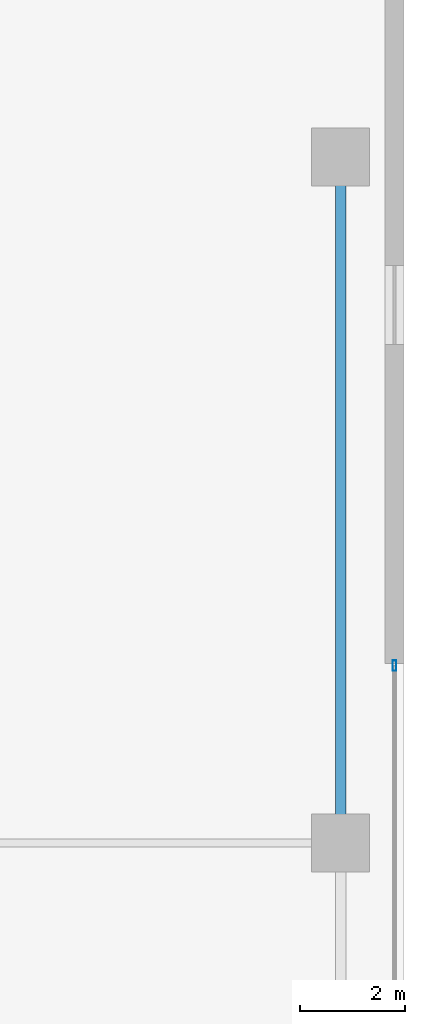
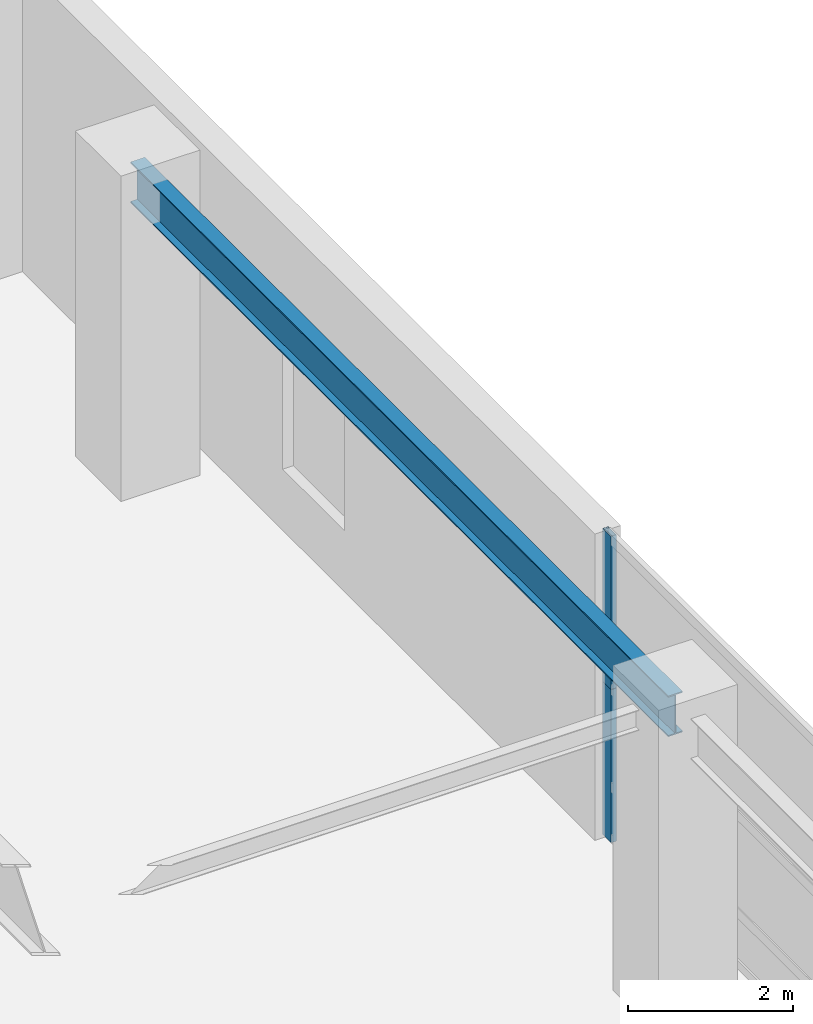
# One storey, part 29 of 37: 2 members, 1 beam, 1 element without a shape of its own.
"""IFC4 building model written with IfcOpenShell, lengths in metres."""

from ifc_helpers import new_model, si_unit, direction, frame, origin, origin_2d, place, context, subcontext, project, spatial, hollow_rectangle, i_section, extrude, source, transform, mapped, material, layer, layer_set, material_profile, profile_set, type_object, element, aggregate, save


model = new_model("IFC4")

# Units and contexts
model_context = context("Model", 3, precision=1e-05, world=origin(), true_north=direction((0.0, 1.0)))
body_context = subcontext(model_context, "Body", "Model", "MODEL_VIEW")
ifc_project = project(units=[si_unit("LENGTHUNIT", "METRE"), si_unit("AREAUNIT", "SQUARE_METRE"), si_unit("VOLUMEUNIT", "CUBIC_METRE"), si_unit("PLANEANGLEUNIT", "RADIAN"), si_unit("MASSUNIT", "GRAM", prefix="KILO"), si_unit("THERMODYNAMICTEMPERATUREUNIT", "KELVIN"), si_unit("POWERUNIT", "WATT")], contexts=[model_context])

# Site, building, storey
site_placement = place(None, origin())
site = spatial("IfcSite", under=ifc_project, at=site_placement, CompositionType="ELEMENT")
building_placement = place(site_placement, origin())
building = spatial("IfcBuilding", under=site, at=building_placement, Name="Yuzanri Waterfront Tower", CompositionType="ELEMENT")
storey_placement = place(building_placement, frame((0.0, 0.0, 5.39990234375)))
storey = spatial("IfcBuildingStorey", under=building, at=storey_placement, Name="L02", CompositionType="ELEMENT", Elevation=5.39990234375)

# Beam
ifc_material_1 = material(Name="Steel Q355B", Category="steel")
ifc_material_profile_1 = material_profile(ifc_material_1, i_section(OverallWidth=0.199951171875, OverallDepth=0.60009765625, WebThickness=0.010986328125, FlangeThickness=0.01708984375, at=origin_2d()), Name="HN 600x200x11x17")
ifc_profile_set_1 = profile_set([ifc_material_profile_1], Name="Steel Q355B")
beam_type = type_object("IfcBeamType", Name="Perimeter Spandrel Q355B HN 600x200", PredefinedType="SPANDREL", material=ifc_profile_set_1)
shared_shape_1 = source(origin(), body_context, "Body", "SweptSolid", [
    extrude(i_section(OverallWidth=0.199951171875, OverallDepth=0.60009765625, WebThickness=0.010986328125, FlangeThickness=0.01708984375, at=origin_2d()), origin(), (0.0, 0.0, 1.0), 13.0),
])
beam_placement = place(storey_placement, frame((70.800048828125, 32.199951171875, 4.22021484375), z_axis=(0.0, 1.0, 0.0), x_axis=(-1.0, 0.0, 0.0)))
element("IfcBeam", 1, at=beam_placement, inside=storey, type_object=beam_type, Name="L02 East Podium Spandrel 3", PredefinedType="SPANDREL", context=body_context, shape_type="MappedRepresentation", body=[
    mapped(shared_shape_1, transform((0.0, 0.0, 0.0), scale=1.0)),
])

# Curtain wall, members
ifc_material_2 = material(Name="Anodized Architectural Bronze", Category="metal")
ifc_layer = layer(ifc_material_2, 0.159912109375)
ifc_layer_set = layer_set([ifc_layer], Name="Anodized Architectural Bronze")
curtain_wall_type = type_object("IfcCurtainWallType", Name="Anodized Bronze Podium Waterfront Double-Height Unitized Curtain Wall 8400", PredefinedType="NOTDEFINED", material=ifc_layer_set)
curtain_wall_placement = place(storey_placement, origin())
curtain_wall = element("IfcCurtainWall", 2, at=curtain_wall_placement, inside=storey, type_object=curtain_wall_type, Name="L02 Curtain Wall CW-L02-E", PredefinedType="NOTDEFINED")
ifc_material_3 = material(Name="Anodized Architectural Bronze", Category="metal")
ifc_material_profile_2 = material_profile(ifc_material_3, hollow_rectangle(XDim=0.074951171875, YDim=0.199951171875, WallThickness=0.00390625, at=origin_2d()), Name="CWM 75x200")
ifc_profile_set_2 = profile_set([ifc_material_profile_2], Name="Anodized Architectural Bronze")
member_type = type_object("IfcMemberType", Name="Anodized Bronze Primary Curtain-Wall Mullion 75x200", PredefinedType="MULLION", material=ifc_profile_set_2)
shared_shape_2 = source(origin(), body_context, "Body", "SweptSolid", [
    extrude(hollow_rectangle(XDim=0.074951171875, YDim=0.199951171875, WallThickness=0.00390625, at=origin_2d()), origin(), (0.0, 0.0, 1.0), 2.258056640625),
])
member_1_placement = place(storey_placement, frame((71.820068359375, 35.56005859375, 0.0), z_axis=(0.0, 0.0, 1.0), x_axis=(1.0, 0.0, 0.0)))
member_1 = element("IfcMember", 3, at=member_1_placement, type_object=member_type, Name="CW-L02-E Lower Mullion 02", PredefinedType="MULLION", context=body_context, shape_type="MappedRepresentation", body=[
    mapped(shared_shape_2, transform((0.0, 0.0, 0.0), scale=1.0)),
])
shared_shape_3 = source(origin(), body_context, "Body", "SweptSolid", [
    extrude(hollow_rectangle(XDim=0.074951171875, YDim=0.199951171875, WallThickness=0.00390625, at=origin_2d()), origin(), (0.0, 0.0, 1.0), 2.2578125),
])
member_2_placement = place(storey_placement, frame((71.820068359375, 35.56005859375, 2.26220703125), z_axis=(0.0, 0.0, 1.0), x_axis=(1.0, 0.0, 0.0)))
member_2 = element("IfcMember", 4, at=member_2_placement, type_object=member_type, Name="CW-L02-E Upper Mullion 02", PredefinedType="MULLION", context=body_context, shape_type="MappedRepresentation", body=[
    mapped(shared_shape_3, transform((0.0, 0.0, 0.0), scale=1.0)),
])
aggregate(curtain_wall, [member_1, member_2])

save(model, "model.ifc")
